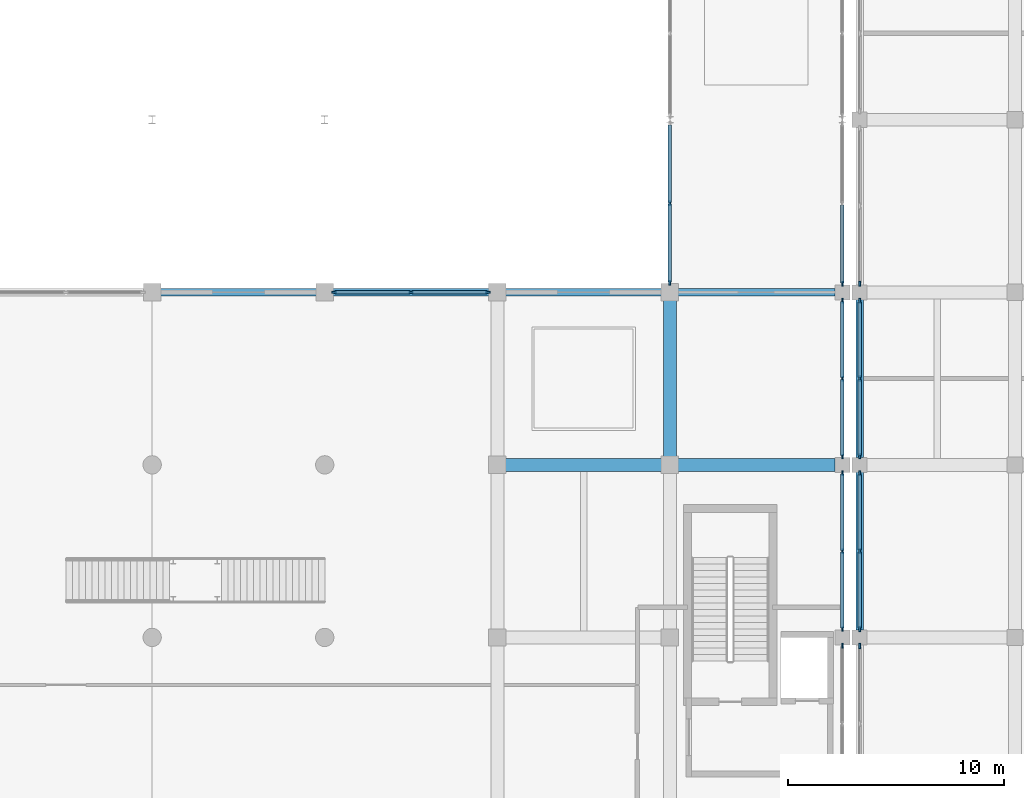
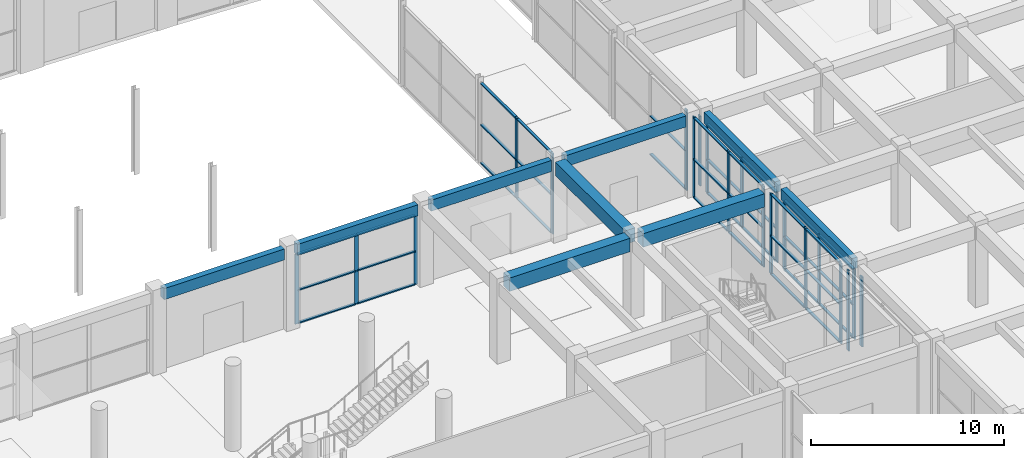
# One storey, part 25 of 86: 59 members, 9 beams, 10 elements without a shape of their own.
"""IFC4 building model written with IfcOpenShell, lengths in metres."""

from ifc_helpers import new_model, si_unit, direction, frame, origin, origin_2d, place, context, subcontext, project, spatial, rectangle, extrude, material, material_profile, profile_set, type_object, element, aggregate, save


model = new_model("IFC4")

# Units and contexts
model_context = context("Model", 3, precision=1e-05, world=origin(), true_north=direction((0.0, 1.0)))
body_context = subcontext(model_context, "Body", "Model", "MODEL_VIEW")
ifc_project = project(units=[si_unit("LENGTHUNIT", "METRE"), si_unit("AREAUNIT", "SQUARE_METRE"), si_unit("VOLUMEUNIT", "CUBIC_METRE"), si_unit("PLANEANGLEUNIT", "RADIAN"), si_unit("MASSUNIT", "GRAM", prefix="KILO")], contexts=[model_context])

# Site, building, storey
site_placement = place(None, origin())
site = spatial("IfcSite", under=ifc_project, at=site_placement, CompositionType="ELEMENT")
building_placement = place(site_placement, origin())
building = spatial("IfcBuilding", under=site, at=building_placement, Name="Kenh Van Central Station", CompositionType="ELEMENT")
storey_placement = place(building_placement, origin())
storey = spatial("IfcBuildingStorey", under=building, at=storey_placement, Name="L00", CompositionType="ELEMENT", Elevation=0.0)

# Beams
ifc_material_1 = material(Name="Concrete C35/45", Category="concrete")
ifc_material_profile_1 = material_profile(ifc_material_1, rectangle(XDim=0.60009765625, YDim=0.85009765625, at=origin_2d()), Name="RC 600x850")
ifc_profile_set_1 = profile_set([ifc_material_profile_1], Name="Concrete C35/45")
beam_type_1 = type_object("IfcBeamType", Name="BM-RC-600x850", PredefinedType="BEAM", material=ifc_profile_set_1)
beam_1_placement = place(storey_placement, frame((104.389892578125, 32.0, 4.695068359375), z_axis=(1.0, 0.0, 0.0), x_axis=(0.0, 1.0, 0.0)))
element("IfcBeam", 1, at=beam_1_placement, inside=storey, type_object=beam_type_1, Name="L00 beam 0399", PredefinedType="BEAM", context=body_context, shape_type="SweptSolid", body=[
    extrude(rectangle(XDim=0.60009765625, YDim=0.85009765625, at=origin_2d()), origin(), (0.0, 0.0, 1.0), 7.22021484375),
])
beam_2_placement = place(storey_placement, frame((112.389892578125, 32.0, 4.695068359375), z_axis=(1.0, 0.0, 0.0), x_axis=(0.0, 1.0, 0.0)))
element("IfcBeam", 2, at=beam_2_placement, inside=storey, type_object=beam_type_1, Name="L00 beam 0400", PredefinedType="BEAM", context=body_context, shape_type="SweptSolid", body=[
    extrude(rectangle(XDim=0.60009765625, YDim=0.85009765625, at=origin_2d()), origin(), (0.0, 0.0, 1.0), 7.27001953125),
])
beam_3_placement = place(storey_placement, frame((112.0, 32.389892578125, 4.695068359375), z_axis=(0.0, 1.0, 0.0), x_axis=(-1.0, 0.0, 0.0)))
element("IfcBeam", 3, at=beam_3_placement, inside=storey, type_object=beam_type_1, Name="L00 beam 0512", PredefinedType="BEAM", context=body_context, shape_type="SweptSolid", body=[
    extrude(rectangle(XDim=0.60009765625, YDim=0.85009765625, at=origin_2d()), origin(), (0.0, 0.0, 1.0), 7.22021484375),
])

# Curtain wall, member
ifc_material_2 = material(Name="Champagne anodised aluminium", Category="aluminium")
curtain_wall_type_1 = type_object("IfcCurtainWallType", Name="CW-OPER-B", PredefinedType="NOTDEFINED", material=ifc_material_2)
curtain_wall_1_placement = place(storey_placement, origin())
curtain_wall_1 = element("IfcCurtainWall", 4, at=curtain_wall_1_placement, inside=storey, type_object=curtain_wall_type_1, Name="L00 curtain wall 071", PredefinedType="NOTDEFINED")
ifc_material_profile_2 = material_profile(ifc_material_2, rectangle(XDim=0.087890625, YDim=0.239990234375, at=origin_2d()), Name="AL 88x240")
ifc_profile_set_2 = profile_set([ifc_material_profile_2], Name="Champagne anodised aluminium")
member_type_1 = type_object("IfcMemberType", Name="CWM-60x140", PredefinedType="MULLION", material=ifc_profile_set_2)
member_1_placement = place(storey_placement, frame((120.800048828125, 40.39404296875, 0.0), z_axis=(0.0, 0.0, 1.0), x_axis=(1.0, 0.0, 0.0)))
member_1 = element("IfcMember", 5, at=member_1_placement, type_object=member_type_1, Name="CW-08 mullion 3", PredefinedType="MULLION", context=body_context, shape_type="SweptSolid", body=[
    extrude(rectangle(XDim=0.087890625, YDim=0.239990234375, at=origin_2d()), origin(), (0.0, 0.0, 1.0), 4.419921875),
])
aggregate(curtain_wall_1, [member_1])

# Curtain wall, members
curtain_wall_2_placement = place(storey_placement, origin())
curtain_wall_2 = element("IfcCurtainWall", 6, at=curtain_wall_2_placement, inside=storey, type_object=curtain_wall_type_1, Name="L00 curtain wall 072", PredefinedType="NOTDEFINED")
member_2_placement = place(storey_placement, frame((120.800048828125, 39.60595703125, 0.0), z_axis=(0.0, 0.0, 1.0), x_axis=(1.0, 0.0, 0.0)))
member_2 = element("IfcMember", 7, at=member_2_placement, type_object=member_type_1, Name="CW-08 mullion 1", PredefinedType="MULLION", context=body_context, shape_type="SweptSolid", body=[
    extrude(rectangle(XDim=0.087890625, YDim=0.239990234375, at=origin_2d()), origin(), (0.0, 0.0, 1.0), 4.419921875),
])
member_3_placement = place(storey_placement, frame((120.800048828125, 36.0, 0.0), z_axis=(0.0, 0.0, 1.0), x_axis=(1.0, 0.0, 0.0)))
member_3 = element("IfcMember", 8, at=member_3_placement, type_object=member_type_1, Name="CW-08 mullion 2", PredefinedType="MULLION", context=body_context, shape_type="SweptSolid", body=[
    extrude(rectangle(XDim=0.087890625, YDim=0.239990234375, at=origin_2d()), origin(), (0.0, 0.0, 1.0), 4.419921875),
])
member_4_placement = place(storey_placement, frame((120.800048828125, 32.39404296875, 0.0), z_axis=(0.0, 0.0, 1.0), x_axis=(1.0, 0.0, 0.0)))
member_4 = element("IfcMember", 9, at=member_4_placement, type_object=member_type_1, Name="CW-08 mullion 3", PredefinedType="MULLION", context=body_context, shape_type="SweptSolid", body=[
    extrude(rectangle(XDim=0.087890625, YDim=0.239990234375, at=origin_2d()), origin(), (0.0, 0.0, 1.0), 4.419921875),
])

curtain_wall_3_placement = place(storey_placement, origin())
curtain_wall_3 = element("IfcCurtainWall", 10, at=curtain_wall_3_placement, inside=storey, type_object=curtain_wall_type_1, Name="L00 curtain wall 073", PredefinedType="NOTDEFINED")
member_5_placement = place(storey_placement, frame((120.800048828125, 31.60595703125, 0.0), z_axis=(0.0, 0.0, 1.0), x_axis=(1.0, 0.0, 0.0)))
member_5 = element("IfcMember", 11, at=member_5_placement, type_object=member_type_1, Name="CW-08 mullion 1", PredefinedType="MULLION", context=body_context, shape_type="SweptSolid", body=[
    extrude(rectangle(XDim=0.087890625, YDim=0.239990234375, at=origin_2d()), origin(), (0.0, 0.0, 1.0), 4.419921875),
])
member_6_placement = place(storey_placement, frame((120.800048828125, 28.0, 0.0), z_axis=(0.0, 0.0, 1.0), x_axis=(1.0, 0.0, 0.0)))
member_6 = element("IfcMember", 12, at=member_6_placement, type_object=member_type_1, Name="CW-08 mullion 2", PredefinedType="MULLION", context=body_context, shape_type="SweptSolid", body=[
    extrude(rectangle(XDim=0.087890625, YDim=0.239990234375, at=origin_2d()), origin(), (0.0, 0.0, 1.0), 4.419921875),
])
member_7_placement = place(storey_placement, frame((120.800048828125, 24.39404296875, 0.0), z_axis=(0.0, 0.0, 1.0), x_axis=(1.0, 0.0, 0.0)))
member_7 = element("IfcMember", 13, at=member_7_placement, type_object=member_type_1, Name="CW-08 mullion 3", PredefinedType="MULLION", context=body_context, shape_type="SweptSolid", body=[
    extrude(rectangle(XDim=0.087890625, YDim=0.239990234375, at=origin_2d()), origin(), (0.0, 0.0, 1.0), 4.419921875),
])

# Curtain wall, member
curtain_wall_4_placement = place(storey_placement, origin())
curtain_wall_4 = element("IfcCurtainWall", 14, at=curtain_wall_4_placement, inside=storey, type_object=curtain_wall_type_1, Name="L00 curtain wall 074", PredefinedType="NOTDEFINED")
member_8_placement = place(storey_placement, frame((120.800048828125, 23.60595703125, 0.0), z_axis=(0.0, 0.0, 1.0), x_axis=(1.0, 0.0, 0.0)))
member_8 = element("IfcMember", 15, at=member_8_placement, type_object=member_type_1, Name="CW-08 mullion 1", PredefinedType="MULLION", context=body_context, shape_type="SweptSolid", body=[
    extrude(rectangle(XDim=0.087890625, YDim=0.239990234375, at=origin_2d()), origin(), (0.0, 0.0, 1.0), 4.419921875),
])
aggregate(curtain_wall_4, [member_8])

# Curtain wall, members
curtain_wall_type_2 = type_object("IfcCurtainWallType", Name="CW-CONC-B", PredefinedType="NOTDEFINED", material=ifc_material_2)
curtain_wall_5_placement = place(storey_placement, origin())
curtain_wall_5 = element("IfcCurtainWall", 16, at=curtain_wall_5_placement, inside=storey, type_object=curtain_wall_type_2, Name="L00 curtain wall 025", PredefinedType="NOTDEFINED")
ifc_material_profile_3 = material_profile(ifc_material_2, rectangle(XDim=0.08203125, YDim=0.22509765625, at=origin_2d()), Name="AL 82x225")
ifc_profile_set_3 = profile_set([ifc_material_profile_3], Name="Champagne anodised aluminium")
member_type_2 = type_object("IfcMemberType", Name="CWM-70x180", PredefinedType="MULLION", material=ifc_profile_set_3)
member_9_placement = place(storey_placement, frame((103.55908203125, 40.0, 0.0), z_axis=(0.0, 0.0, 1.0), x_axis=(0.0, -1.0, 0.0)))
member_9 = element("IfcMember", 17, at=member_9_placement, type_object=member_type_2, Name="CW-04 mullion 1", PredefinedType="MULLION", context=body_context, shape_type="SweptSolid", body=[
    extrude(rectangle(XDim=0.08203125, YDim=0.22509765625, at=origin_2d()), origin(), (0.0, 0.0, 1.0), 4.419921875),
])
member_10_placement = place(storey_placement, frame((100.0, 40.0, 0.0), z_axis=(0.0, 0.0, 1.0), x_axis=(0.0, -1.0, 0.0)))
member_10 = element("IfcMember", 18, at=member_10_placement, type_object=member_type_2, Name="CW-04 mullion 2", PredefinedType="MULLION", context=body_context, shape_type="SweptSolid", body=[
    extrude(rectangle(XDim=0.08203125, YDim=0.22509765625, at=origin_2d()), origin(), (0.0, 0.0, 1.0), 4.419921875),
])
member_11_placement = place(storey_placement, frame((96.44091796875, 40.0, 0.0), z_axis=(0.0, 0.0, 1.0), x_axis=(0.0, -1.0, 0.0)))
member_11 = element("IfcMember", 19, at=member_11_placement, type_object=member_type_2, Name="CW-04 mullion 3", PredefinedType="MULLION", context=body_context, shape_type="SweptSolid", body=[
    extrude(rectangle(XDim=0.08203125, YDim=0.22509765625, at=origin_2d()), origin(), (0.0, 0.0, 1.0), 4.419921875),
])

curtain_wall_6_placement = place(storey_placement, origin())
curtain_wall_6 = element("IfcCurtainWall", 20, at=curtain_wall_6_placement, inside=storey, type_object=curtain_wall_type_2, Name="L00 curtain wall 032", PredefinedType="NOTDEFINED")
member_12_placement = place(storey_placement, frame((112.0, 44.125, 0.0), z_axis=(0.0, 0.0, 1.0), x_axis=(1.0, 0.0, 0.0)))
member_12 = element("IfcMember", 21, at=member_12_placement, type_object=member_type_2, Name="CW-04 mullion 2", PredefinedType="MULLION", context=body_context, shape_type="SweptSolid", body=[
    extrude(rectangle(XDim=0.08203125, YDim=0.22509765625, at=origin_2d()), origin(), (0.0, 0.0, 1.0), 5.10009765625),
])
member_13_placement = place(storey_placement, frame((112.0, 40.44091796875, 0.0), z_axis=(0.0, 0.0, 1.0), x_axis=(1.0, 0.0, 0.0)))
member_13 = element("IfcMember", 22, at=member_13_placement, type_object=member_type_2, Name="CW-04 mullion 3", PredefinedType="MULLION", context=body_context, shape_type="SweptSolid", body=[
    extrude(rectangle(XDim=0.08203125, YDim=0.22509765625, at=origin_2d()), origin(), (0.0, 0.0, 1.0), 5.10009765625),
])

# Curtain wall, member
curtain_wall_7_placement = place(storey_placement, origin())
curtain_wall_7 = element("IfcCurtainWall", 23, at=curtain_wall_7_placement, inside=storey, type_object=curtain_wall_type_2, Name="L00 curtain wall 033", PredefinedType="NOTDEFINED")
member_14_placement = place(storey_placement, frame((120.0, 23.60888671875, 0.0), z_axis=(0.0, 0.0, 1.0), x_axis=(-1.0, 0.0, 0.0)))
member_14 = element("IfcMember", 24, at=member_14_placement, type_object=member_type_2, Name="CW-04 mullion 3", PredefinedType="MULLION", context=body_context, shape_type="SweptSolid", body=[
    extrude(rectangle(XDim=0.08203125, YDim=0.22509765625, at=origin_2d()), origin(), (0.0, 0.0, 1.0), 5.10009765625),
])
aggregate(curtain_wall_7, [member_14])

# Curtain wall, members
curtain_wall_8_placement = place(storey_placement, origin())
curtain_wall_8 = element("IfcCurtainWall", 25, at=curtain_wall_8_placement, inside=storey, type_object=curtain_wall_type_2, Name="L00 curtain wall 034", PredefinedType="NOTDEFINED")
member_15_placement = place(storey_placement, frame((120.0, 24.39111328125, 0.0), z_axis=(0.0, 0.0, 1.0), x_axis=(-1.0, 0.0, 0.0)))
member_15 = element("IfcMember", 26, at=member_15_placement, type_object=member_type_2, Name="CW-04 mullion 1", PredefinedType="MULLION", context=body_context, shape_type="SweptSolid", body=[
    extrude(rectangle(XDim=0.08203125, YDim=0.22509765625, at=origin_2d()), origin(), (0.0, 0.0, 1.0), 5.10009765625),
])
member_16_placement = place(storey_placement, frame((120.0, 28.0, 0.0), z_axis=(0.0, 0.0, 1.0), x_axis=(-1.0, 0.0, 0.0)))
member_16 = element("IfcMember", 27, at=member_16_placement, type_object=member_type_2, Name="CW-04 mullion 2", PredefinedType="MULLION", context=body_context, shape_type="SweptSolid", body=[
    extrude(rectangle(XDim=0.08203125, YDim=0.22509765625, at=origin_2d()), origin(), (0.0, 0.0, 1.0), 5.10009765625),
])
member_17_placement = place(storey_placement, frame((120.0, 31.60888671875, 0.0), z_axis=(0.0, 0.0, 1.0), x_axis=(-1.0, 0.0, 0.0)))
member_17 = element("IfcMember", 28, at=member_17_placement, type_object=member_type_2, Name="CW-04 mullion 3", PredefinedType="MULLION", context=body_context, shape_type="SweptSolid", body=[
    extrude(rectangle(XDim=0.08203125, YDim=0.22509765625, at=origin_2d()), origin(), (0.0, 0.0, 1.0), 5.10009765625),
])

curtain_wall_9_placement = place(storey_placement, origin())
curtain_wall_9 = element("IfcCurtainWall", 29, at=curtain_wall_9_placement, inside=storey, type_object=curtain_wall_type_2, Name="L00 curtain wall 035", PredefinedType="NOTDEFINED")
member_18_placement = place(storey_placement, frame((120.0, 32.39111328125, 0.0), z_axis=(0.0, 0.0, 1.0), x_axis=(-1.0, 0.0, 0.0)))
member_18 = element("IfcMember", 30, at=member_18_placement, type_object=member_type_2, Name="CW-04 mullion 1", PredefinedType="MULLION", context=body_context, shape_type="SweptSolid", body=[
    extrude(rectangle(XDim=0.08203125, YDim=0.22509765625, at=origin_2d()), origin(), (0.0, 0.0, 1.0), 5.10009765625),
])
member_19_placement = place(storey_placement, frame((120.0, 36.0, 0.0), z_axis=(0.0, 0.0, 1.0), x_axis=(-1.0, 0.0, 0.0)))
member_19 = element("IfcMember", 31, at=member_19_placement, type_object=member_type_2, Name="CW-04 mullion 2", PredefinedType="MULLION", context=body_context, shape_type="SweptSolid", body=[
    extrude(rectangle(XDim=0.08203125, YDim=0.22509765625, at=origin_2d()), origin(), (0.0, 0.0, 1.0), 5.10009765625),
])
member_20_placement = place(storey_placement, frame((120.0, 39.60888671875, 0.0), z_axis=(0.0, 0.0, 1.0), x_axis=(-1.0, 0.0, 0.0)))
member_20 = element("IfcMember", 32, at=member_20_placement, type_object=member_type_2, Name="CW-04 mullion 3", PredefinedType="MULLION", context=body_context, shape_type="SweptSolid", body=[
    extrude(rectangle(XDim=0.08203125, YDim=0.22509765625, at=origin_2d()), origin(), (0.0, 0.0, 1.0), 5.10009765625),
])

# Curtain wall, member
curtain_wall_10_placement = place(storey_placement, origin())
curtain_wall_10 = element("IfcCurtainWall", 33, at=curtain_wall_10_placement, inside=storey, type_object=curtain_wall_type_2, Name="L00 curtain wall 036", PredefinedType="NOTDEFINED")
member_21_placement = place(storey_placement, frame((120.0, 40.39111328125, 0.0), z_axis=(0.0, 0.0, 1.0), x_axis=(-1.0, 0.0, 0.0)))
member_21 = element("IfcMember", 34, at=member_21_placement, type_object=member_type_2, Name="CW-04 mullion 1", PredefinedType="MULLION", context=body_context, shape_type="SweptSolid", body=[
    extrude(rectangle(XDim=0.08203125, YDim=0.22509765625, at=origin_2d()), origin(), (0.0, 0.0, 1.0), 5.10009765625),
])

# Member
ifc_material_profile_4 = material_profile(ifc_material_2, rectangle(XDim=0.155029296875, YDim=0.072021484375, at=origin_2d()), Name="AL 155x72")
ifc_profile_set_4 = profile_set([ifc_material_profile_4], Name="Champagne anodised aluminium")
member_type_3 = type_object("IfcMemberType", Name="CWT-120x60", PredefinedType="USERDEFINED", material=ifc_profile_set_4)
member_22_placement = place(storey_placement, frame((103.51806640625, 40.0, 0.035888671875), z_axis=(-1.0, 0.0, 0.0), x_axis=(0.0, -1.0, 0.0)))
member_22 = element("IfcMember", 35, at=member_22_placement, type_object=member_type_3, Name="CW-04 transom 1.1", ObjectType="TRANSOM", PredefinedType="USERDEFINED", context=body_context, shape_type="SweptSolid", body=[
    extrude(rectangle(XDim=0.155029296875, YDim=0.072021484375, at=origin_2d()), origin(), (0.0, 0.0, 1.0), 3.47705078125),
])

member_23_placement = place(storey_placement, frame((103.51806640625, 40.0, 2.12158203125), z_axis=(-1.0, 0.0, 0.0), x_axis=(0.0, -1.0, 0.0)))
member_23 = element("IfcMember", 36, at=member_23_placement, type_object=member_type_3, Name="CW-04 transom 1.2", ObjectType="TRANSOM", PredefinedType="USERDEFINED", context=body_context, shape_type="SweptSolid", body=[
    extrude(rectangle(XDim=0.155029296875, YDim=0.072021484375, at=origin_2d()), origin(), (0.0, 0.0, 1.0), 3.47705078125),
])

member_24_placement = place(storey_placement, frame((103.51806640625, 40.0, 4.384033203125), z_axis=(-1.0, 0.0, 0.0), x_axis=(0.0, -1.0, 0.0)))
member_24 = element("IfcMember", 37, at=member_24_placement, type_object=member_type_3, Name="CW-04 transom 1.3", ObjectType="TRANSOM", PredefinedType="USERDEFINED", context=body_context, shape_type="SweptSolid", body=[
    extrude(rectangle(XDim=0.155029296875, YDim=0.072021484375, at=origin_2d()), origin(), (0.0, 0.0, 1.0), 3.47705078125),
])

member_25_placement = place(storey_placement, frame((99.958984375, 40.0, 0.035888671875), z_axis=(-1.0, 0.0, 0.0), x_axis=(0.0, -1.0, 0.0)))
member_25 = element("IfcMember", 38, at=member_25_placement, type_object=member_type_3, Name="CW-04 transom 2.1", ObjectType="TRANSOM", PredefinedType="USERDEFINED", context=body_context, shape_type="SweptSolid", body=[
    extrude(rectangle(XDim=0.155029296875, YDim=0.072021484375, at=origin_2d()), origin(), (0.0, 0.0, 1.0), 3.47705078125),
])

member_26_placement = place(storey_placement, frame((99.958984375, 40.0, 2.12158203125), z_axis=(-1.0, 0.0, 0.0), x_axis=(0.0, -1.0, 0.0)))
member_26 = element("IfcMember", 39, at=member_26_placement, type_object=member_type_3, Name="CW-04 transom 2.2", ObjectType="TRANSOM", PredefinedType="USERDEFINED", context=body_context, shape_type="SweptSolid", body=[
    extrude(rectangle(XDim=0.155029296875, YDim=0.072021484375, at=origin_2d()), origin(), (0.0, 0.0, 1.0), 3.47705078125),
])

member_27_placement = place(storey_placement, frame((99.958984375, 40.0, 4.384033203125), z_axis=(-1.0, 0.0, 0.0), x_axis=(0.0, -1.0, 0.0)))
member_27 = element("IfcMember", 40, at=member_27_placement, type_object=member_type_3, Name="CW-04 transom 2.3", ObjectType="TRANSOM", PredefinedType="USERDEFINED", context=body_context, shape_type="SweptSolid", body=[
    extrude(rectangle(XDim=0.155029296875, YDim=0.072021484375, at=origin_2d()), origin(), (0.0, 0.0, 1.0), 3.47705078125),
])

aggregate(curtain_wall_5, [member_9, member_10, member_11, member_22, member_23, member_24, member_25, member_26, member_27])

member_28_placement = place(storey_placement, frame((112.0, 47.76806640625, 0.035888671875), z_axis=(0.0, -1.0, 0.0), x_axis=(1.0, 0.0, 0.0)))
member_28 = element("IfcMember", 41, at=member_28_placement, type_object=member_type_3, Name="CW-04 transom 1.1", ObjectType="TRANSOM", PredefinedType="USERDEFINED", context=body_context, shape_type="SweptSolid", body=[
    extrude(rectangle(XDim=0.155029296875, YDim=0.072021484375, at=origin_2d()), origin(), (0.0, 0.0, 1.0), 3.60205078125),
])

member_29_placement = place(storey_placement, frame((112.0, 47.76806640625, 2.447998046875), z_axis=(0.0, -1.0, 0.0), x_axis=(1.0, 0.0, 0.0)))
member_29 = element("IfcMember", 42, at=member_29_placement, type_object=member_type_3, Name="CW-04 transom 1.2", ObjectType="TRANSOM", PredefinedType="USERDEFINED", context=body_context, shape_type="SweptSolid", body=[
    extrude(rectangle(XDim=0.155029296875, YDim=0.072021484375, at=origin_2d()), origin(), (0.0, 0.0, 1.0), 3.60205078125),
])

member_30_placement = place(storey_placement, frame((112.0, 47.76806640625, 5.06396484375), z_axis=(0.0, -1.0, 0.0), x_axis=(1.0, 0.0, 0.0)))
member_30 = element("IfcMember", 43, at=member_30_placement, type_object=member_type_3, Name="CW-04 transom 1.3", ObjectType="TRANSOM", PredefinedType="USERDEFINED", context=body_context, shape_type="SweptSolid", body=[
    extrude(rectangle(XDim=0.155029296875, YDim=0.072021484375, at=origin_2d()), origin(), (0.0, 0.0, 1.0), 3.60205078125),
])

member_31_placement = place(storey_placement, frame((112.0, 44.083984375, 0.035888671875), z_axis=(0.0, -1.0, 0.0), x_axis=(1.0, 0.0, 0.0)))
member_31 = element("IfcMember", 44, at=member_31_placement, type_object=member_type_3, Name="CW-04 transom 2.1", ObjectType="TRANSOM", PredefinedType="USERDEFINED", context=body_context, shape_type="SweptSolid", body=[
    extrude(rectangle(XDim=0.155029296875, YDim=0.072021484375, at=origin_2d()), origin(), (0.0, 0.0, 1.0), 3.60205078125),
])

member_32_placement = place(storey_placement, frame((112.0, 44.083984375, 2.447998046875), z_axis=(0.0, -1.0, 0.0), x_axis=(1.0, 0.0, 0.0)))
member_32 = element("IfcMember", 45, at=member_32_placement, type_object=member_type_3, Name="CW-04 transom 2.2", ObjectType="TRANSOM", PredefinedType="USERDEFINED", context=body_context, shape_type="SweptSolid", body=[
    extrude(rectangle(XDim=0.155029296875, YDim=0.072021484375, at=origin_2d()), origin(), (0.0, 0.0, 1.0), 3.60205078125),
])

member_33_placement = place(storey_placement, frame((112.0, 44.083984375, 5.06396484375), z_axis=(0.0, -1.0, 0.0), x_axis=(1.0, 0.0, 0.0)))
member_33 = element("IfcMember", 46, at=member_33_placement, type_object=member_type_3, Name="CW-04 transom 2.3", ObjectType="TRANSOM", PredefinedType="USERDEFINED", context=body_context, shape_type="SweptSolid", body=[
    extrude(rectangle(XDim=0.155029296875, YDim=0.072021484375, at=origin_2d()), origin(), (0.0, 0.0, 1.0), 3.60205078125),
])

aggregate(curtain_wall_6, [member_12, member_13, member_28, member_29, member_30, member_31, member_32, member_33])

member_34_placement = place(storey_placement, frame((120.0, 24.431884765625, 0.035888671875), z_axis=(0.0, 1.0, 0.0), x_axis=(-1.0, 0.0, 0.0)))
member_34 = element("IfcMember", 47, at=member_34_placement, type_object=member_type_3, Name="CW-04 transom 1.1", ObjectType="TRANSOM", PredefinedType="USERDEFINED", context=body_context, shape_type="SweptSolid", body=[
    extrude(rectangle(XDim=0.155029296875, YDim=0.072021484375, at=origin_2d()), origin(), (0.0, 0.0, 1.0), 3.527099609375),
])

member_35_placement = place(storey_placement, frame((120.0, 24.431884765625, 2.447998046875), z_axis=(0.0, 1.0, 0.0), x_axis=(-1.0, 0.0, 0.0)))
member_35 = element("IfcMember", 48, at=member_35_placement, type_object=member_type_3, Name="CW-04 transom 1.2", ObjectType="TRANSOM", PredefinedType="USERDEFINED", context=body_context, shape_type="SweptSolid", body=[
    extrude(rectangle(XDim=0.155029296875, YDim=0.072021484375, at=origin_2d()), origin(), (0.0, 0.0, 1.0), 3.527099609375),
])

member_36_placement = place(storey_placement, frame((120.0, 24.431884765625, 5.06396484375), z_axis=(0.0, 1.0, 0.0), x_axis=(-1.0, 0.0, 0.0)))
member_36 = element("IfcMember", 49, at=member_36_placement, type_object=member_type_3, Name="CW-04 transom 1.3", ObjectType="TRANSOM", PredefinedType="USERDEFINED", context=body_context, shape_type="SweptSolid", body=[
    extrude(rectangle(XDim=0.155029296875, YDim=0.072021484375, at=origin_2d()), origin(), (0.0, 0.0, 1.0), 3.527099609375),
])

member_37_placement = place(storey_placement, frame((120.0, 28.041015625, 0.035888671875), z_axis=(0.0, 1.0, 0.0), x_axis=(-1.0, 0.0, 0.0)))
member_37 = element("IfcMember", 50, at=member_37_placement, type_object=member_type_3, Name="CW-04 transom 2.1", ObjectType="TRANSOM", PredefinedType="USERDEFINED", context=body_context, shape_type="SweptSolid", body=[
    extrude(rectangle(XDim=0.155029296875, YDim=0.072021484375, at=origin_2d()), origin(), (0.0, 0.0, 1.0), 3.527099609375),
])

member_38_placement = place(storey_placement, frame((120.0, 28.041015625, 2.447998046875), z_axis=(0.0, 1.0, 0.0), x_axis=(-1.0, 0.0, 0.0)))
member_38 = element("IfcMember", 51, at=member_38_placement, type_object=member_type_3, Name="CW-04 transom 2.2", ObjectType="TRANSOM", PredefinedType="USERDEFINED", context=body_context, shape_type="SweptSolid", body=[
    extrude(rectangle(XDim=0.155029296875, YDim=0.072021484375, at=origin_2d()), origin(), (0.0, 0.0, 1.0), 3.527099609375),
])

member_39_placement = place(storey_placement, frame((120.0, 28.041015625, 5.06396484375), z_axis=(0.0, 1.0, 0.0), x_axis=(-1.0, 0.0, 0.0)))
member_39 = element("IfcMember", 52, at=member_39_placement, type_object=member_type_3, Name="CW-04 transom 2.3", ObjectType="TRANSOM", PredefinedType="USERDEFINED", context=body_context, shape_type="SweptSolid", body=[
    extrude(rectangle(XDim=0.155029296875, YDim=0.072021484375, at=origin_2d()), origin(), (0.0, 0.0, 1.0), 3.527099609375),
])

aggregate(curtain_wall_8, [member_15, member_16, member_17, member_34, member_35, member_36, member_37, member_38, member_39])

member_40_placement = place(storey_placement, frame((120.0, 32.431884765625, 0.035888671875), z_axis=(0.0, 1.0, 0.0), x_axis=(-1.0, 0.0, 0.0)))
member_40 = element("IfcMember", 53, at=member_40_placement, type_object=member_type_3, Name="CW-04 transom 1.1", ObjectType="TRANSOM", PredefinedType="USERDEFINED", context=body_context, shape_type="SweptSolid", body=[
    extrude(rectangle(XDim=0.155029296875, YDim=0.072021484375, at=origin_2d()), origin(), (0.0, 0.0, 1.0), 3.527099609375),
])

member_41_placement = place(storey_placement, frame((120.0, 32.431884765625, 2.447998046875), z_axis=(0.0, 1.0, 0.0), x_axis=(-1.0, 0.0, 0.0)))
member_41 = element("IfcMember", 54, at=member_41_placement, type_object=member_type_3, Name="CW-04 transom 1.2", ObjectType="TRANSOM", PredefinedType="USERDEFINED", context=body_context, shape_type="SweptSolid", body=[
    extrude(rectangle(XDim=0.155029296875, YDim=0.072021484375, at=origin_2d()), origin(), (0.0, 0.0, 1.0), 3.527099609375),
])

member_42_placement = place(storey_placement, frame((120.0, 32.431884765625, 5.06396484375), z_axis=(0.0, 1.0, 0.0), x_axis=(-1.0, 0.0, 0.0)))
member_42 = element("IfcMember", 55, at=member_42_placement, type_object=member_type_3, Name="CW-04 transom 1.3", ObjectType="TRANSOM", PredefinedType="USERDEFINED", context=body_context, shape_type="SweptSolid", body=[
    extrude(rectangle(XDim=0.155029296875, YDim=0.072021484375, at=origin_2d()), origin(), (0.0, 0.0, 1.0), 3.527099609375),
])

member_43_placement = place(storey_placement, frame((120.0, 36.041015625, 0.035888671875), z_axis=(0.0, 1.0, 0.0), x_axis=(-1.0, 0.0, 0.0)))
member_43 = element("IfcMember", 56, at=member_43_placement, type_object=member_type_3, Name="CW-04 transom 2.1", ObjectType="TRANSOM", PredefinedType="USERDEFINED", context=body_context, shape_type="SweptSolid", body=[
    extrude(rectangle(XDim=0.155029296875, YDim=0.072021484375, at=origin_2d()), origin(), (0.0, 0.0, 1.0), 3.527099609375),
])

member_44_placement = place(storey_placement, frame((120.0, 36.041015625, 2.447998046875), z_axis=(0.0, 1.0, 0.0), x_axis=(-1.0, 0.0, 0.0)))
member_44 = element("IfcMember", 57, at=member_44_placement, type_object=member_type_3, Name="CW-04 transom 2.2", ObjectType="TRANSOM", PredefinedType="USERDEFINED", context=body_context, shape_type="SweptSolid", body=[
    extrude(rectangle(XDim=0.155029296875, YDim=0.072021484375, at=origin_2d()), origin(), (0.0, 0.0, 1.0), 3.527099609375),
])

member_45_placement = place(storey_placement, frame((120.0, 36.041015625, 5.06396484375), z_axis=(0.0, 1.0, 0.0), x_axis=(-1.0, 0.0, 0.0)))
member_45 = element("IfcMember", 58, at=member_45_placement, type_object=member_type_3, Name="CW-04 transom 2.3", ObjectType="TRANSOM", PredefinedType="USERDEFINED", context=body_context, shape_type="SweptSolid", body=[
    extrude(rectangle(XDim=0.155029296875, YDim=0.072021484375, at=origin_2d()), origin(), (0.0, 0.0, 1.0), 3.527099609375),
])

aggregate(curtain_wall_9, [member_18, member_19, member_20, member_40, member_41, member_42, member_43, member_44, member_45])

member_46_placement = place(storey_placement, frame((120.0, 40.431884765625, 0.035888671875), z_axis=(0.0, 1.0, 0.0), x_axis=(-1.0, 0.0, 0.0)))
member_46 = element("IfcMember", 59, at=member_46_placement, type_object=member_type_3, Name="CW-04 transom 1.1", ObjectType="TRANSOM", PredefinedType="USERDEFINED", context=body_context, shape_type="SweptSolid", body=[
    extrude(rectangle(XDim=0.155029296875, YDim=0.072021484375, at=origin_2d()), origin(), (0.0, 0.0, 1.0), 3.627197265625),
])

member_47_placement = place(storey_placement, frame((120.0, 40.431884765625, 2.447998046875), z_axis=(0.0, 1.0, 0.0), x_axis=(-1.0, 0.0, 0.0)))
member_47 = element("IfcMember", 60, at=member_47_placement, type_object=member_type_3, Name="CW-04 transom 1.2", ObjectType="TRANSOM", PredefinedType="USERDEFINED", context=body_context, shape_type="SweptSolid", body=[
    extrude(rectangle(XDim=0.155029296875, YDim=0.072021484375, at=origin_2d()), origin(), (0.0, 0.0, 1.0), 3.627197265625),
])

aggregate(curtain_wall_10, [member_21, member_46, member_47])

member_48_placement = place(storey_placement, frame((120.800048828125, 39.56201171875, 0.035888671875), z_axis=(0.0, -1.0, 0.0), x_axis=(1.0, 0.0, 0.0)))
member_48 = element("IfcMember", 61, at=member_48_placement, type_object=member_type_3, Name="CW-08 transom 1.1", ObjectType="TRANSOM", PredefinedType="USERDEFINED", context=body_context, shape_type="SweptSolid", body=[
    extrude(rectangle(XDim=0.155029296875, YDim=0.072021484375, at=origin_2d()), origin(), (0.0, 0.0, 1.0), 3.51806640625),
])

member_49_placement = place(storey_placement, frame((120.800048828125, 39.56201171875, 2.12158203125), z_axis=(0.0, -1.0, 0.0), x_axis=(1.0, 0.0, 0.0)))
member_49 = element("IfcMember", 62, at=member_49_placement, type_object=member_type_3, Name="CW-08 transom 1.2", ObjectType="TRANSOM", PredefinedType="USERDEFINED", context=body_context, shape_type="SweptSolid", body=[
    extrude(rectangle(XDim=0.155029296875, YDim=0.072021484375, at=origin_2d()), origin(), (0.0, 0.0, 1.0), 3.51806640625),
])

member_50_placement = place(storey_placement, frame((120.800048828125, 39.56201171875, 4.384033203125), z_axis=(0.0, -1.0, 0.0), x_axis=(1.0, 0.0, 0.0)))
member_50 = element("IfcMember", 63, at=member_50_placement, type_object=member_type_3, Name="CW-08 transom 1.3", ObjectType="TRANSOM", PredefinedType="USERDEFINED", context=body_context, shape_type="SweptSolid", body=[
    extrude(rectangle(XDim=0.155029296875, YDim=0.072021484375, at=origin_2d()), origin(), (0.0, 0.0, 1.0), 3.51806640625),
])

member_51_placement = place(storey_placement, frame((120.800048828125, 35.9560546875, 0.035888671875), z_axis=(0.0, -1.0, 0.0), x_axis=(1.0, 0.0, 0.0)))
member_51 = element("IfcMember", 64, at=member_51_placement, type_object=member_type_3, Name="CW-08 transom 2.1", ObjectType="TRANSOM", PredefinedType="USERDEFINED", context=body_context, shape_type="SweptSolid", body=[
    extrude(rectangle(XDim=0.155029296875, YDim=0.072021484375, at=origin_2d()), origin(), (0.0, 0.0, 1.0), 3.51806640625),
])

member_52_placement = place(storey_placement, frame((120.800048828125, 35.9560546875, 2.12158203125), z_axis=(0.0, -1.0, 0.0), x_axis=(1.0, 0.0, 0.0)))
member_52 = element("IfcMember", 65, at=member_52_placement, type_object=member_type_3, Name="CW-08 transom 2.2", ObjectType="TRANSOM", PredefinedType="USERDEFINED", context=body_context, shape_type="SweptSolid", body=[
    extrude(rectangle(XDim=0.155029296875, YDim=0.072021484375, at=origin_2d()), origin(), (0.0, 0.0, 1.0), 3.51806640625),
])

member_53_placement = place(storey_placement, frame((120.800048828125, 35.9560546875, 4.384033203125), z_axis=(0.0, -1.0, 0.0), x_axis=(1.0, 0.0, 0.0)))
member_53 = element("IfcMember", 66, at=member_53_placement, type_object=member_type_3, Name="CW-08 transom 2.3", ObjectType="TRANSOM", PredefinedType="USERDEFINED", context=body_context, shape_type="SweptSolid", body=[
    extrude(rectangle(XDim=0.155029296875, YDim=0.072021484375, at=origin_2d()), origin(), (0.0, 0.0, 1.0), 3.51806640625),
])

aggregate(curtain_wall_2, [member_2, member_3, member_4, member_48, member_49, member_50, member_51, member_52, member_53])

member_54_placement = place(storey_placement, frame((120.800048828125, 31.56201171875, 0.035888671875), z_axis=(0.0, -1.0, 0.0), x_axis=(1.0, 0.0, 0.0)))
member_54 = element("IfcMember", 67, at=member_54_placement, type_object=member_type_3, Name="CW-08 transom 1.1", ObjectType="TRANSOM", PredefinedType="USERDEFINED", context=body_context, shape_type="SweptSolid", body=[
    extrude(rectangle(XDim=0.155029296875, YDim=0.072021484375, at=origin_2d()), origin(), (0.0, 0.0, 1.0), 3.51806640625),
])

member_55_placement = place(storey_placement, frame((120.800048828125, 31.56201171875, 2.12158203125), z_axis=(0.0, -1.0, 0.0), x_axis=(1.0, 0.0, 0.0)))
member_55 = element("IfcMember", 68, at=member_55_placement, type_object=member_type_3, Name="CW-08 transom 1.2", ObjectType="TRANSOM", PredefinedType="USERDEFINED", context=body_context, shape_type="SweptSolid", body=[
    extrude(rectangle(XDim=0.155029296875, YDim=0.072021484375, at=origin_2d()), origin(), (0.0, 0.0, 1.0), 3.51806640625),
])

member_56_placement = place(storey_placement, frame((120.800048828125, 31.56201171875, 4.384033203125), z_axis=(0.0, -1.0, 0.0), x_axis=(1.0, 0.0, 0.0)))
member_56 = element("IfcMember", 69, at=member_56_placement, type_object=member_type_3, Name="CW-08 transom 1.3", ObjectType="TRANSOM", PredefinedType="USERDEFINED", context=body_context, shape_type="SweptSolid", body=[
    extrude(rectangle(XDim=0.155029296875, YDim=0.072021484375, at=origin_2d()), origin(), (0.0, 0.0, 1.0), 3.51806640625),
])

member_57_placement = place(storey_placement, frame((120.800048828125, 27.9560546875, 0.035888671875), z_axis=(0.0, -1.0, 0.0), x_axis=(1.0, 0.0, 0.0)))
member_57 = element("IfcMember", 70, at=member_57_placement, type_object=member_type_3, Name="CW-08 transom 2.1", ObjectType="TRANSOM", PredefinedType="USERDEFINED", context=body_context, shape_type="SweptSolid", body=[
    extrude(rectangle(XDim=0.155029296875, YDim=0.072021484375, at=origin_2d()), origin(), (0.0, 0.0, 1.0), 3.51806640625),
])

member_58_placement = place(storey_placement, frame((120.800048828125, 27.9560546875, 2.12158203125), z_axis=(0.0, -1.0, 0.0), x_axis=(1.0, 0.0, 0.0)))
member_58 = element("IfcMember", 71, at=member_58_placement, type_object=member_type_3, Name="CW-08 transom 2.2", ObjectType="TRANSOM", PredefinedType="USERDEFINED", context=body_context, shape_type="SweptSolid", body=[
    extrude(rectangle(XDim=0.155029296875, YDim=0.072021484375, at=origin_2d()), origin(), (0.0, 0.0, 1.0), 3.51806640625),
])

member_59_placement = place(storey_placement, frame((120.800048828125, 27.9560546875, 4.384033203125), z_axis=(0.0, -1.0, 0.0), x_axis=(1.0, 0.0, 0.0)))
member_59 = element("IfcMember", 72, at=member_59_placement, type_object=member_type_3, Name="CW-08 transom 2.3", ObjectType="TRANSOM", PredefinedType="USERDEFINED", context=body_context, shape_type="SweptSolid", body=[
    extrude(rectangle(XDim=0.155029296875, YDim=0.072021484375, at=origin_2d()), origin(), (0.0, 0.0, 1.0), 3.51806640625),
])

aggregate(curtain_wall_3, [member_5, member_6, member_7, member_54, member_55, member_56, member_57, member_58, member_59])

# Beams
ifc_material_profile_5 = material_profile(ifc_material_1, rectangle(XDim=0.35009765625, YDim=0.699951171875, at=origin_2d()), Name="RC 350x700")
ifc_profile_set_5 = profile_set([ifc_material_profile_5], Name="Concrete C35/45")
beam_type_2 = type_object("IfcBeamType", Name="SPD-RC-350x700", PredefinedType="SPANDREL", material=ifc_profile_set_5)
for number, where, z_axis, x_axis, name in (
    (73, (88.389892578125, 40.0, 4.77001953125), (1.0, 0.0, 0.0), (0.0, 1.0, 0.0), "L00 beam 0416"),
    (74, (96.389892578125, 40.0, 4.77001953125), (1.0, 0.0, 0.0), (0.0, 1.0, 0.0), "L00 beam 0417"),
    (75, (104.389892578125, 40.0, 4.77001953125), (1.0, 0.0, 0.0), (0.0, 1.0, 0.0), "L00 beam 0418"),
):
    element("IfcBeam", number, at=place(storey_placement, frame(where, z_axis=z_axis, x_axis=x_axis)), inside=storey, type_object=beam_type_2, Name=name, PredefinedType="SPANDREL", context=body_context, shape_type="SweptSolid", body=[
        extrude(rectangle(XDim=0.35009765625, YDim=0.699951171875, at=origin_2d()), origin(), (0.0, 0.0, 1.0), 7.22021484375),
    ])
beam_4_placement = place(storey_placement, frame((112.389892578125, 40.0, 4.77001953125), z_axis=(1.0, 0.0, 0.0), x_axis=(0.0, 1.0, 0.0)))
element("IfcBeam", 76, at=beam_4_placement, inside=storey, type_object=beam_type_2, Name="L00 beam 0419", PredefinedType="SPANDREL", context=body_context, shape_type="SweptSolid", body=[
    extrude(rectangle(XDim=0.35009765625, YDim=0.699951171875, at=origin_2d()), origin(), (0.0, 0.0, 1.0), 7.27001953125),
])
for number, where, z_axis, x_axis, name in (
    (77, (120.800048828125, 24.340087890625, 4.77001953125), (0.0, 1.0, 0.0), (-1.0, 0.0, 0.0), "L00 beam 0515"),
    (78, (120.800048828125, 32.340087890625, 4.77001953125), (0.0, 1.0, 0.0), (-1.0, 0.0, 0.0), "L00 beam 0516"),
):
    element("IfcBeam", number, at=place(storey_placement, frame(where, z_axis=z_axis, x_axis=x_axis)), inside=storey, type_object=beam_type_2, Name=name, PredefinedType="SPANDREL", context=body_context, shape_type="SweptSolid", body=[
        extrude(rectangle(XDim=0.35009765625, YDim=0.699951171875, at=origin_2d()), origin(), (0.0, 0.0, 1.0), 7.31982421875),
    ])

save(model, "model.ifc")
